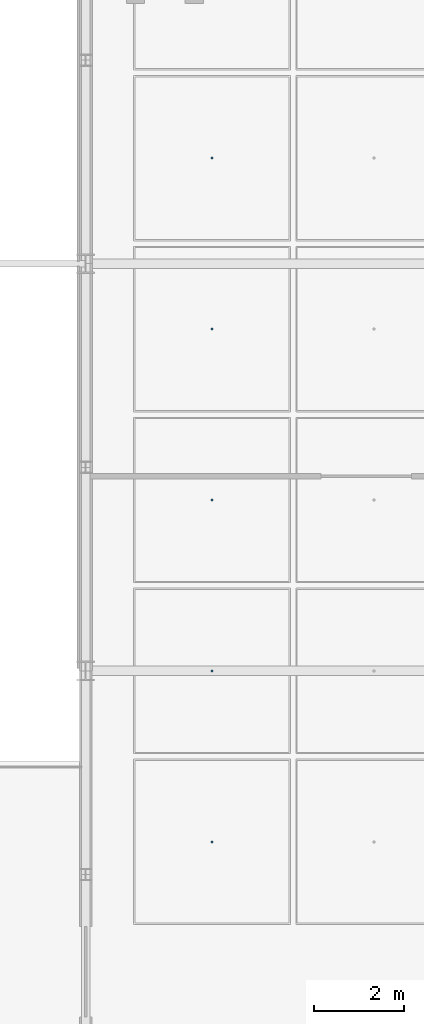
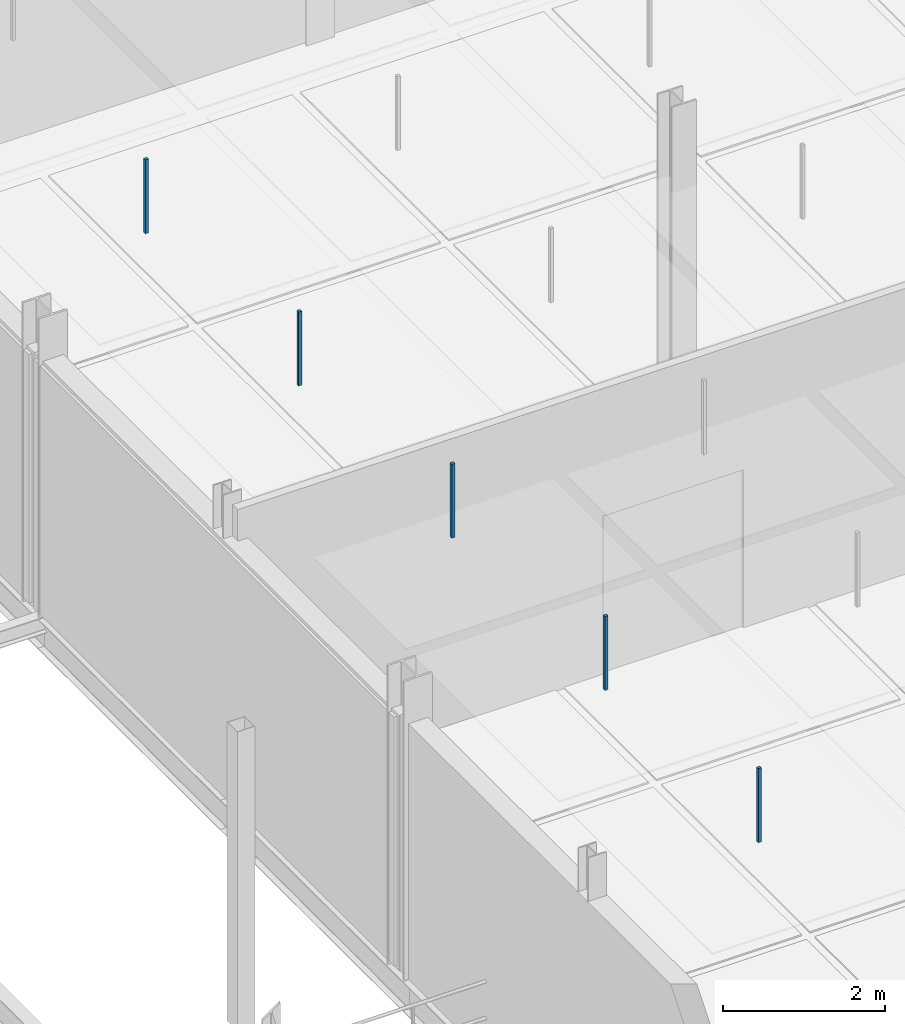
# One storey, part 77 of 130: 5 discrete accessories.
"""IFC4 building model written with IfcOpenShell, lengths in metres."""

from ifc_helpers import new_model, si_unit, direction, frame, origin, origin_2d, place, context, subcontext, project, spatial, rectangle, extrude, material, type_object, element, save


model = new_model("IFC4")

# Units and contexts
model_context = context("Model", 3, precision=1e-05, world=origin(), true_north=direction((0.0, 1.0)))
body_context = subcontext(model_context, "Body", "Model", "MODEL_VIEW")
ifc_project = project(units=[si_unit("LENGTHUNIT", "METRE"), si_unit("AREAUNIT", "SQUARE_METRE"), si_unit("VOLUMEUNIT", "CUBIC_METRE"), si_unit("PLANEANGLEUNIT", "RADIAN"), si_unit("MASSUNIT", "GRAM", prefix="KILO"), si_unit("THERMODYNAMICTEMPERATUREUNIT", "KELVIN"), si_unit("POWERUNIT", "WATT")], contexts=[model_context])

# Site, building, storey
site_placement = place(None, origin())
site = spatial("IfcSite", under=ifc_project, at=site_placement, CompositionType="ELEMENT")
building_placement = place(site_placement, origin())
building = spatial("IfcBuilding", under=site, at=building_placement, Name="Tallowbark Science Centre", CompositionType="ELEMENT")
storey_placement = place(building_placement, frame((0.0, 0.0, 5.39990234375)))
storey = spatial("IfcBuildingStorey", under=building, at=storey_placement, Name="L01", CompositionType="ELEMENT", Elevation=5.39990234375)

# Discrete accessories
ifc_material = material(Name="Galvanised Steel Grade C350L0 (350 MPa)", Category="steel")
discrete_accessory_type = type_object("IfcDiscreteAccessoryType", Name="ACC-CLG-HNG", PredefinedType="BRACKET", material=ifc_material)
for number, where, z_axis, x_axis, name in (
    (1, (61.291748046875, 18.72216796875, 3.20947265625), (0.0, 0.0, 1.0), (1.0, 0.0, 0.0), "Ceiling Hanger Bracket L01-483"),
    (2, (61.291748046875, 22.5, 3.20947265625), (0.0, 0.0, 1.0), (1.0, 0.0, 0.0), "Ceiling Hanger Bracket L01-484"),
    (3, (61.291748046875, 26.27783203125, 3.20947265625), (0.0, 0.0, 1.0), (1.0, 0.0, 0.0), "Ceiling Hanger Bracket L01-485"),
    (4, (61.291748046875, 30.0556640625, 3.20947265625), (0.0, 0.0, 1.0), (1.0, 0.0, 0.0), "Ceiling Hanger Bracket L01-486"),
    (5, (61.291748046875, 33.833251953125, 3.20947265625), (0.0, 0.0, 1.0), (1.0, 0.0, 0.0), "Ceiling Hanger Bracket L01-487"),
):
    element("IfcDiscreteAccessory", number, at=place(storey_placement, frame(where, z_axis=z_axis, x_axis=x_axis)), inside=storey, type_object=discrete_accessory_type, Name=name, PredefinedType="BRACKET", context=body_context, shape_type="SweptSolid", body=[
        extrude(rectangle(XDim=0.044921875, YDim=0.044921875, at=origin_2d()), origin(), (0.0, 0.0, 1.0), 1.113525390625),
    ])

save(model, "model.ifc")
